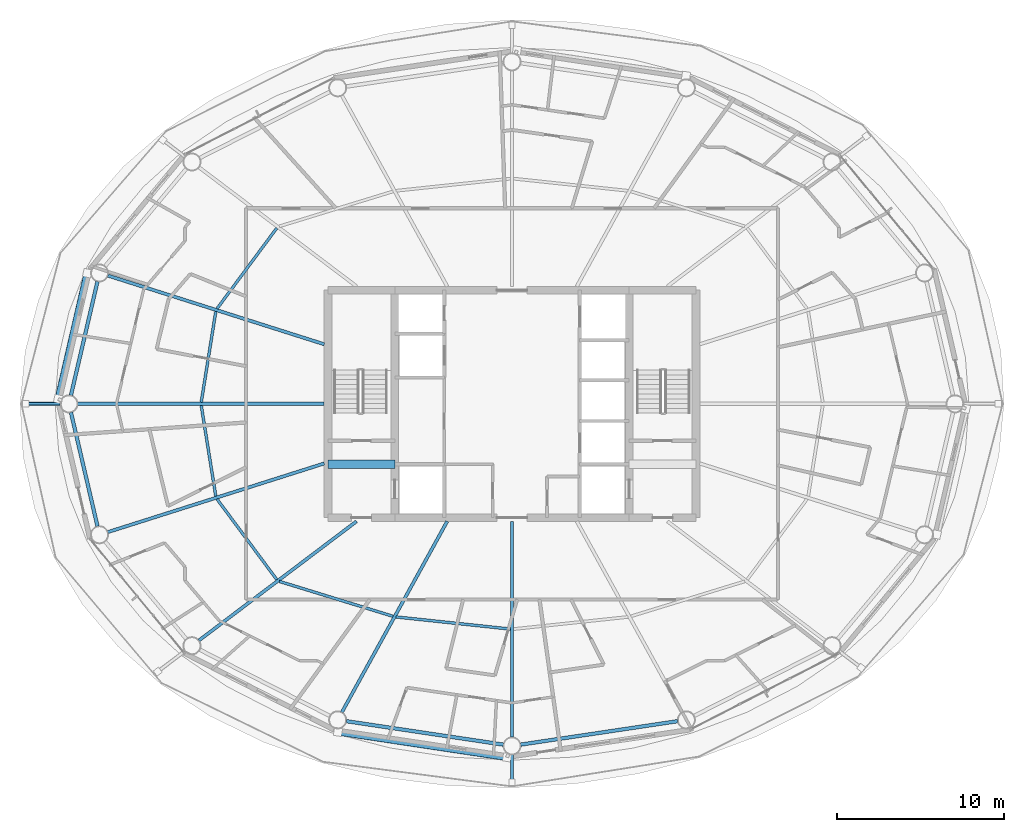
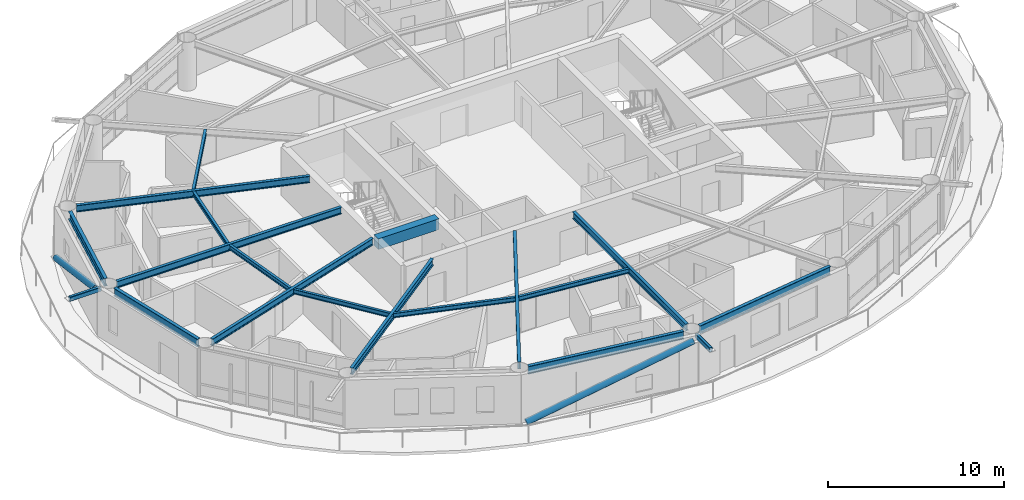
# One storey, part 4 of 30: 17 beams, 4 members.
"""IFC4 building model written with IfcOpenShell, lengths in metres."""

from ifc_helpers import new_model, si_unit, direction, frame, origin, origin_2d, place, context, subcontext, project, spatial, rectangle, hollow_rectangle, hollow_circle, i_section, extrude, material, material_profile, profile_set, type_object, element, save


model = new_model("IFC4")

# Units and contexts
model_context = context("Model", 3, precision=1e-05, world=origin(), true_north=direction((0.0, 1.0)))
body_context = subcontext(model_context, "Body", "Model", "MODEL_VIEW")
ifc_project = project(units=[si_unit("LENGTHUNIT", "METRE"), si_unit("AREAUNIT", "SQUARE_METRE"), si_unit("VOLUMEUNIT", "CUBIC_METRE"), si_unit("PLANEANGLEUNIT", "RADIAN"), si_unit("MASSUNIT", "GRAM", prefix="KILO")], contexts=[model_context])

# Site, building, storey
site_placement = place(None, origin())
site = spatial("IfcSite", under=ifc_project, at=site_placement, CompositionType="ELEMENT")
building_placement = place(site_placement, origin())
building = spatial("IfcBuilding", under=site, at=building_placement, Name="Sarneth Arch Tower", CompositionType="ELEMENT")
storey_placement = place(building_placement, frame((0.0, 0.0, 168.60009765625)))
storey = spatial("IfcBuildingStorey", under=building, at=storey_placement, Name="L42", CompositionType="ELEMENT", Elevation=168.60009765625)

# Beams
ifc_material_1 = material(Name="Steel S355", Category="steel")
ifc_material_profile_1 = material_profile(ifc_material_1, i_section(OverallWidth=0.1669921875, OverallDepth=0.31689453125, WebThickness=0.007568359375, FlangeThickness=0.01318359375, FilletRadius=0.012939453125, at=origin_2d()), Name="W310x52")
ifc_profile_set_1 = profile_set([ifc_material_profile_1], Name="Steel S355")
beam_type_1 = type_object("IfcBeamType", Name="BM-JOIST-310B", PredefinedType="JOIST", material=ifc_profile_set_1)
beam_1_placement = place(storey_placement, frame((33.937255859375, 52.5068359375, 3.221435546875), z_axis=(-0.595933334016, -0.803033910497, 0.0), x_axis=(0.803033910497, -0.595933334016, 0.0)))
element("IfcBeam", 1, at=beam_1_placement, inside=storey, type_object=beam_type_1, Name="L42 Secondary floor joist 07", PredefinedType="JOIST", context=body_context, shape_type="SweptSolid", body=[
    extrude(i_section(OverallWidth=0.1669921875, OverallDepth=0.31689453125, WebThickness=0.007568359375, FlangeThickness=0.01318359375, FilletRadius=0.012939453125, at=origin_2d()), origin(), (0.0, 0.0, 1.0), 5.99560546875),
])
for number, where, z_axis, x_axis, name in (
    (2, (30.291259765625, 47.519287109375, 3.221435546875), (-0.158262632389, -0.987397052451, 0.0), (0.987397052451, -0.158262632389, 0.0), "L42 Secondary floor joist 08"),
    (3, (29.421875, 41.90478515625, 3.221435546875), (0.158262632389, -0.987397052451, 0.0), (0.987397052451, 0.158262632389, 0.0), "L42 Secondary floor joist 09"),
):
    element("IfcBeam", number, at=place(storey_placement, frame(where, z_axis=z_axis, x_axis=x_axis)), inside=storey, type_object=beam_type_1, Name=name, PredefinedType="JOIST", context=body_context, shape_type="SweptSolid", body=[
        extrude(i_section(OverallWidth=0.1669921875, OverallDepth=0.31689453125, WebThickness=0.007568359375, FlangeThickness=0.01318359375, FilletRadius=0.012939453125, at=origin_2d()), origin(), (0.0, 0.0, 1.0), 5.493408203125),
    ])
beam_2_placement = place(storey_placement, frame((30.3642578125, 36.307861328125, 3.221435546875), z_axis=(0.595933334016, -0.803033910497, 0.0), x_axis=(0.803033910497, 0.595933334016, 0.0)))
element("IfcBeam", 4, at=beam_2_placement, inside=storey, type_object=beam_type_1, Name="L42 Secondary floor joist 10", PredefinedType="JOIST", context=body_context, shape_type="SweptSolid", body=[
    extrude(i_section(OverallWidth=0.1669921875, OverallDepth=0.31689453125, WebThickness=0.007568359375, FlangeThickness=0.01318359375, FilletRadius=0.012939453125, at=origin_2d()), origin(), (0.0, 0.0, 1.0), 5.99560546875),
])
beam_3_placement = place(storey_placement, frame((34.087158203125, 31.38720703125, 3.221435546875), z_axis=(0.955929549608, -0.293596144707, 0.0), x_axis=(0.293596144707, 0.955929549608, 0.0)))
element("IfcBeam", 5, at=beam_3_placement, inside=storey, type_object=beam_type_1, Name="L42 Secondary floor joist 11", PredefinedType="JOIST", context=body_context, shape_type="SweptSolid", body=[
    extrude(i_section(OverallWidth=0.1669921875, OverallDepth=0.31689453125, WebThickness=0.007568359375, FlangeThickness=0.01318359375, FilletRadius=0.012939453125, at=origin_2d()), origin(), (0.0, 0.0, 1.0), 7.1123046875),
])
beam_4_placement = place(storey_placement, frame((41.07421875, 29.260498046875, 3.221435546875), z_axis=(0.994407831942, -0.105608066799, 0.0), x_axis=(0.105608066799, 0.994407831942, 0.0)))
element("IfcBeam", 6, at=beam_4_placement, inside=storey, type_object=beam_type_1, Name="L42 Secondary floor joist 12", PredefinedType="JOIST", context=body_context, shape_type="SweptSolid", body=[
    extrude(i_section(OverallWidth=0.1669921875, OverallDepth=0.31689453125, WebThickness=0.007568359375, FlangeThickness=0.01318359375, FilletRadius=0.012939453125, at=origin_2d()), origin(), (0.0, 0.0, 1.0), 6.8681640625),
])
ifc_material_2 = material(Name="Concrete C50/60", Category="concrete")
ifc_material_profile_2 = material_profile(ifc_material_2, rectangle(XDim=0.5, YDim=0.75, at=origin_2d()), Name="RC-500x750")
ifc_profile_set_2 = profile_set([ifc_material_profile_2], Name="Concrete C50/60")
beam_type_2 = type_object("IfcBeamType", Name="BM-LINTEL-RC", PredefinedType="LINTEL", material=ifc_profile_set_2)
beam_5_placement = place(storey_placement, frame((37.0, 38.39990234375, 3.0048828125), z_axis=(1.0, 0.0, 0.0), x_axis=(0.0, 1.0, 0.0)))
element("IfcBeam", 7, at=beam_5_placement, inside=storey, type_object=beam_type_2, Name="L42 Core coupling lintel W", PredefinedType="LINTEL", context=body_context, shape_type="SweptSolid", body=[
    extrude(rectangle(XDim=0.5, YDim=0.75, at=origin_2d()), origin(), (0.0, 0.0, 1.0), 4.0),
])
ifc_material_3 = material(Name="Steel S355", Category="steel")
ifc_material_profile_3 = material_profile(ifc_material_3, i_section(OverallWidth=0.193115234375, OverallDepth=0.466064453125, WebThickness=0.011474609375, FlangeThickness=0.01904296875, FilletRadius=0.01806640625, at=origin_2d()), Name="W460x97")
ifc_profile_set_3 = profile_set([ifc_material_profile_3], Name="Steel S355")
beam_type_3 = type_object("IfcBeamType", Name="BM-RAD-460C", PredefinedType="BEAM", material=ifc_profile_set_3)
beam_6_placement = place(storey_placement, frame((36.77490234375, 45.56201171875, 3.14697265625), z_axis=(-0.953163620049, 0.302455142815, 0.0), x_axis=(-0.302455142815, -0.953163620049, 0.0)))
element("IfcBeam", 8, at=beam_6_placement, inside=storey, type_object=beam_type_3, Name="L42 Radial floor girder 08", PredefinedType="BEAM", context=body_context, shape_type="SweptSolid", body=[
    extrude(i_section(OverallWidth=0.193115234375, OverallDepth=0.466064453125, WebThickness=0.011474609375, FlangeThickness=0.01904296875, FilletRadius=0.01806640625, at=origin_2d()), origin(), (0.0, 0.0, 1.0), 13.572265625),
])
beam_7_placement = place(storey_placement, frame((36.77490234375, 42.0, 3.14697265625), z_axis=(-1.0, 0.0, 0.0), x_axis=(0.0, -1.0, 0.0)))
element("IfcBeam", 9, at=beam_7_placement, inside=storey, type_object=beam_type_3, Name="L42 Radial floor girder 09", PredefinedType="BEAM", context=body_context, shape_type="SweptSolid", body=[
    extrude(i_section(OverallWidth=0.193115234375, OverallDepth=0.466064453125, WebThickness=0.011474609375, FlangeThickness=0.01904296875, FilletRadius=0.01806640625, at=origin_2d()), origin(), (0.0, 0.0, 1.0), 14.73681640625),
])
beam_8_placement = place(storey_placement, frame((36.77490234375, 38.43798828125, 3.14697265625), z_axis=(-0.953163620049, -0.302455142815, 0.0), x_axis=(0.302455142815, -0.953163620049, 0.0)))
element("IfcBeam", 10, at=beam_8_placement, inside=storey, type_object=beam_type_3, Name="L42 Radial floor girder 10", PredefinedType="BEAM", context=body_context, shape_type="SweptSolid", body=[
    extrude(i_section(OverallWidth=0.193115234375, OverallDepth=0.466064453125, WebThickness=0.011474609375, FlangeThickness=0.01904296875, FilletRadius=0.01806640625, at=origin_2d()), origin(), (0.0, 0.0, 1.0), 13.572265625),
])
beam_9_placement = place(storey_placement, frame((38.70458984375, 34.97509765625, 3.14697265625), z_axis=(-0.797786205076, -0.602940437349, 0.0), x_axis=(0.602940437349, -0.797786205076, 0.0)))
element("IfcBeam", 11, at=beam_9_placement, inside=storey, type_object=beam_type_3, Name="L42 Radial floor girder 11", PredefinedType="BEAM", context=body_context, shape_type="SweptSolid", body=[
    extrude(i_section(OverallWidth=0.193115234375, OverallDepth=0.466064453125, WebThickness=0.011474609375, FlangeThickness=0.01904296875, FilletRadius=0.01806640625, at=origin_2d()), origin(), (0.0, 0.0, 1.0), 11.806884765625),
])
beam_10_placement = place(storey_placement, frame((44.125, 34.97509765625, 3.14697265625), z_axis=(-0.483004525121, -0.87561785541, 0.0), x_axis=(0.87561785541, -0.483004525121, 0.0)))
element("IfcBeam", 12, at=beam_10_placement, inside=storey, type_object=beam_type_3, Name="L42 Radial floor girder 12", PredefinedType="BEAM", context=body_context, shape_type="SweptSolid", body=[
    extrude(i_section(OverallWidth=0.193115234375, OverallDepth=0.466064453125, WebThickness=0.011474609375, FlangeThickness=0.01904296875, FilletRadius=0.01806640625, at=origin_2d()), origin(), (0.0, 0.0, 1.0), 13.029296875),
])
beam_11_placement = place(storey_placement, frame((48.0, 34.97509765625, 3.14697265625), z_axis=(0.0, -1.0, 0.0), x_axis=(1.0, 0.0, 0.0)))
element("IfcBeam", 13, at=beam_11_placement, inside=storey, type_object=beam_type_3, Name="L42 Radial floor girder 13", PredefinedType="BEAM", context=body_context, shape_type="SweptSolid", body=[
    extrude(i_section(OverallWidth=0.193115234375, OverallDepth=0.466064453125, WebThickness=0.011474609375, FlangeThickness=0.01904296875, FilletRadius=0.01806640625, at=origin_2d()), origin(), (0.0, 0.0, 1.0), 12.900146484375),
])
ifc_material_4 = material(Name="Steel S355", Category="steel")
ifc_material_profile_4 = material_profile(ifc_material_4, i_section(OverallWidth=0.214111328125, OverallDepth=0.549072265625, WebThickness=0.0146484375, FlangeThickness=0.023681640625, FilletRadius=0.01806640625, at=origin_2d()), Name="W530x138")
ifc_profile_set_4 = profile_set([ifc_material_profile_4], Name="Steel S355")
beam_type_4 = type_object("IfcBeamType", Name="BM-RAD-530A", PredefinedType="BEAM", material=ifc_profile_set_4)
for number, where, z_axis, x_axis, name in (
    (14, (23.21875, 49.314697265625, 3.10546875), (-0.22708709918, -0.973874452579, 0.0), (0.973874452579, -0.22708709918, 0.0), "L42 Perimeter spandrel beam 08"),
    (15, (21.63232421875, 41.48876953125, 3.10546875), (0.22708709918, -0.973874452579, 0.0), (0.973874452579, 0.22708709918, 0.0), "L42 Perimeter spandrel beam 09"),
):
    element("IfcBeam", number, at=place(storey_placement, frame(where, z_axis=z_axis, x_axis=x_axis)), inside=storey, type_object=beam_type_4, Name=name, PredefinedType="BEAM", context=body_context, shape_type="SweptSolid", body=[
        extrude(i_section(OverallWidth=0.214111328125, OverallDepth=0.549072265625, WebThickness=0.0146484375, FlangeThickness=0.023681640625, FilletRadius=0.01806640625, at=origin_2d()), origin(), (0.0, 0.0, 1.0), 6.986083984375),
    ])
for number, where, z_axis, x_axis, name in (
    (16, (38.097412109375, 23.029052734375, 3.10546875), (0.989027145133, -0.14773390332, 0.0), (0.14773390332, 0.989027145133, 0.0), "L42 Perimeter spandrel beam 12"),
    (17, (48.519287109375, 21.62744140625, 3.10546875), (0.989027145133, 0.14773390332, 0.0), (-0.14773390332, 0.989027145133, 0.0), "L42 Perimeter spandrel beam 13"),
):
    element("IfcBeam", number, at=place(storey_placement, frame(where, z_axis=z_axis, x_axis=x_axis)), inside=storey, type_object=beam_type_4, Name=name, PredefinedType="BEAM", context=body_context, shape_type="SweptSolid", body=[
        extrude(i_section(OverallWidth=0.214111328125, OverallDepth=0.549072265625, WebThickness=0.0146484375, FlangeThickness=0.023681640625, FilletRadius=0.01806640625, at=origin_2d()), origin(), (0.0, 0.0, 1.0), 9.4873046875),
    ])

# Members
ifc_material_5 = material(Name="Steel S355", Category="steel")
ifc_material_profile_5 = material_profile(ifc_material_5, hollow_rectangle(XDim=0.199951171875, YDim=0.300048828125, WallThickness=0.012451171875, InnerFilletRadius=0.018798828125, OuterFilletRadius=0.03125, at=origin_2d()), Name="RHS300x200x12.5")
ifc_profile_set_5 = profile_set([ifc_material_profile_5], Name="Steel S355")
member_type_1 = type_object("IfcMemberType", Name="MEM-CANT-STRUT", PredefinedType="STRUT", material=ifc_profile_set_5)
member_1_placement = place(storey_placement, frame((20.988037109375, 42.0, 3.219970703125), z_axis=(-1.0, 0.0, 0.0), x_axis=(0.0, -1.0, 0.0)))
element("IfcMember", 18, at=member_1_placement, inside=storey, type_object=member_type_1, Name="L42 Balcony cantilever bracket 09", PredefinedType="STRUT", context=body_context, shape_type="SweptSolid", body=[
    extrude(hollow_rectangle(XDim=0.199951171875, YDim=0.300048828125, WallThickness=0.012451171875, InnerFilletRadius=0.018798828125, OuterFilletRadius=0.03125, at=origin_2d()), origin(), (0.0, 0.0, 1.0), 2.0478515625),
])
member_2_placement = place(storey_placement, frame((48.0, 21.02490234375, 3.219970703125), z_axis=(0.0, -1.0, 0.0), x_axis=(1.0, 0.0, 0.0)))
element("IfcMember", 19, at=member_2_placement, inside=storey, type_object=member_type_1, Name="L42 Balcony cantilever bracket 13", PredefinedType="STRUT", context=body_context, shape_type="SweptSolid", body=[
    extrude(hollow_rectangle(XDim=0.199951171875, YDim=0.300048828125, WallThickness=0.012451171875, InnerFilletRadius=0.018798828125, OuterFilletRadius=0.03125, at=origin_2d()), origin(), (0.0, 0.0, 1.0), 1.652099609375),
])
ifc_material_6 = material(Name="Steel S355", Category="steel")
ifc_material_profile_6 = material_profile(ifc_material_6, hollow_circle(Radius=0.202880859375, WallThickness=0.01611328125, at=origin_2d()), Name="CHS406x16")
ifc_profile_set_6 = profile_set([ifc_material_profile_6], Name="Steel S355")
member_type_2 = type_object("IfcMemberType", Name="MEM-DIAG-BR2", PredefinedType="BRACE", material=ifc_profile_set_6)
member_3_placement = place(storey_placement, frame((22.609619140625, 49.81298828125, 0.02001953125), z_axis=(-0.209646277215, -0.90691666474, 0.365445757488), x_axis=(0.974306903917, -0.225224459107, 0.0)))
element("IfcMember", 20, at=member_3_placement, inside=storey, type_object=member_type_2, Name="L42 Perimeter frame diagonal 08", PredefinedType="BRACE", context=body_context, shape_type="SweptSolid", body=[
    extrude(hollow_circle(Radius=0.202880859375, WallThickness=0.01611328125, at=origin_2d()), origin(), (0.0, 0.0, 1.0), 8.292724609375),
])
member_4_placement = place(storey_placement, frame((37.595703125, 22.387451171875, 0.02001953125), z_axis=(0.948052912183, -0.142822782379, 0.284248708942), x_axis=(0.148967610144, 0.988842075929, 0.0)))
element("IfcMember", 21, at=member_4_placement, inside=storey, type_object=member_type_2, Name="L42 Perimeter frame diagonal 12", PredefinedType="BRACE", context=body_context, shape_type="SweptSolid", body=[
    extrude(hollow_circle(Radius=0.202880859375, WallThickness=0.01611328125, at=origin_2d()), origin(), (0.0, 0.0, 1.0), 10.66162109375),
])

save(model, "model.ifc")
